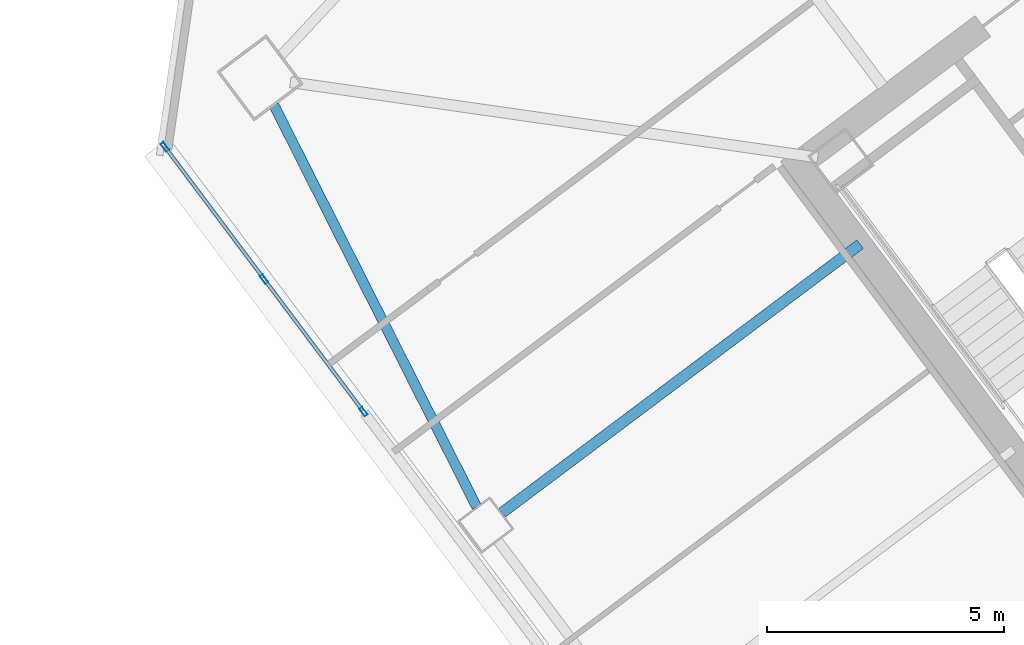
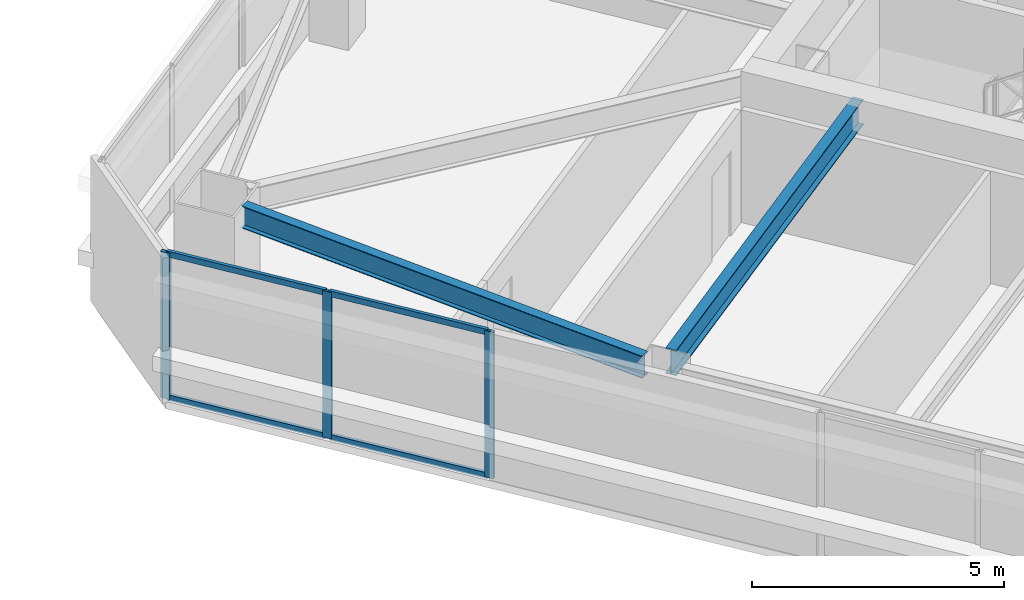
# One storey, part 20 of 44: 7 members, 2 beams, 1 element without a shape of its own.
"""IFC4 building model written with IfcOpenShell, lengths in metres."""

from ifc_helpers import new_model, si_unit, direction, frame, origin, origin_2d, place, context, subcontext, project, spatial, hollow_rectangle, i_section, extrude, material, material_profile, profile_set, type_object, element, aggregate, save


model = new_model("IFC4")

# Units and contexts
model_context = context("Model", 3, precision=1e-05, world=origin(), true_north=direction((0.0, 1.0)))
body_context = subcontext(model_context, "Body", "Model", "MODEL_VIEW")
ifc_project = project(units=[si_unit("LENGTHUNIT", "METRE"), si_unit("AREAUNIT", "SQUARE_METRE"), si_unit("VOLUMEUNIT", "CUBIC_METRE"), si_unit("PLANEANGLEUNIT", "RADIAN"), si_unit("MASSUNIT", "GRAM", prefix="KILO")], contexts=[model_context])

# Site, building, storey
site_placement = place(None, origin())
site = spatial("IfcSite", under=ifc_project, at=site_placement, CompositionType="ELEMENT")
building_placement = place(site_placement, origin())
building = spatial("IfcBuilding", under=site, at=building_placement, Name="Tashvorn Skyway Center", CompositionType="ELEMENT")
storey_placement = place(building_placement, frame((0.0, 0.0, 128.60009765625)))
storey = spatial("IfcBuildingStorey", under=building, at=storey_placement, Name="L34", CompositionType="ELEMENT", Elevation=128.60009765625)

# Beams
ifc_material_1 = material(Name="Steel ASTM A992 Grade 50", Category="steel")
ifc_material_profile_1 = material_profile(ifc_material_1, i_section(OverallWidth=0.22998046875, OverallDepth=0.616943359375, WebThickness=0.01318359375, FlangeThickness=0.022216796875, at=origin_2d()), Name="W24X94")
ifc_profile_set_1 = profile_set([ifc_material_profile_1], Name="Steel ASTM A992 Grade 50")
beam_type_1 = type_object("IfcBeamType", Name="BM-BEAM-W24X94", PredefinedType="BEAM", material=ifc_profile_set_1)
beam_1_placement = place(storey_placement, frame((96.97607421875, 25.98193359375, 3.0615234375), z_axis=(0.799984498661, 0.600020667896, 0.0), x_axis=(-0.600020667896, 0.799984498661, 0.0)))
element("IfcBeam", 1, at=beam_1_placement, inside=storey, type_object=beam_type_1, Name="Tower 2 L34 Primary Floor Girder FC-W1", PredefinedType="BEAM", context=body_context, shape_type="SweptSolid", body=[
    extrude(i_section(OverallWidth=0.22998046875, OverallDepth=0.616943359375, WebThickness=0.01318359375, FlangeThickness=0.022216796875, at=origin_2d()), origin(), (0.0, 0.0, 1.0), 9.449951171875),
])
ifc_material_profile_2 = material_profile(ifc_material_1, i_section(OverallWidth=0.2109375, OverallDepth=0.5390625, WebThickness=0.01171875, FlangeThickness=0.018798828125, at=origin_2d()), Name="W21X73")
ifc_profile_set_2 = profile_set([ifc_material_profile_2], Name="Steel ASTM A992 Grade 50")
beam_type_2 = type_object("IfcBeamType", Name="BM-SPANDREL-W21X73", PredefinedType="SPANDREL", material=ifc_profile_set_2)
beam_2_placement = place(storey_placement, frame((92.170654296875, 34.584228515625, 3.100341796875), z_axis=(0.450613543136, -0.892719124217, 0.0), x_axis=(0.892719124217, 0.450613543136, 0.0)))
element("IfcBeam", 2, at=beam_2_placement, inside=storey, type_object=beam_type_2, Name="Tower 2 L34 Spandrel Beam 10", PredefinedType="SPANDREL", context=body_context, shape_type="SweptSolid", body=[
    extrude(i_section(OverallWidth=0.2109375, OverallDepth=0.5390625, WebThickness=0.01171875, FlangeThickness=0.018798828125, at=origin_2d()), origin(), (0.0, 0.0, 1.0), 9.498291015625),
])

# Curtain wall, members
ifc_material_2 = material(Name="Thermally broken bronze-anodized aluminium 6063-T6", Category="aluminium")
curtain_wall_type = type_object("IfcCurtainWallType", Name="CW-CW-Z3", PredefinedType="NOTDEFINED", material=ifc_material_2)
curtain_wall_placement = place(storey_placement, origin())
curtain_wall = element("IfcCurtainWall", 3, at=curtain_wall_placement, inside=storey, type_object=curtain_wall_type, Name="Tower 2 L34 West Unitised Curtain Wall Glazing Group 3", PredefinedType="NOTDEFINED")
ifc_material_profile_3 = material_profile(ifc_material_2, hollow_rectangle(XDim=0.074951171875, YDim=0.199951171875, WallThickness=0.00439453125, at=origin_2d()), Name="ALU-MULL-75x200")
ifc_profile_set_3 = profile_set([ifc_material_profile_3], Name="Thermally broken bronze-anodized aluminium 6063-T6")
member_type_1 = type_object("IfcMemberType", Name="CWM-CW-Z3", PredefinedType="MULLION", material=ifc_profile_set_3)
member_1_placement = place(storey_placement, frame((94.060302734375, 28.119873046875, 0.0), z_axis=(0.0, 0.0, 1.0), x_axis=(-0.799996599484, -0.600004533995, 0.0)))
member_1 = element("IfcMember", 4, at=member_1_placement, type_object=member_type_1, Name="CW-Z3 mullion 1", PredefinedType="MULLION", context=body_context, shape_type="SweptSolid", body=[
    extrude(hollow_rectangle(XDim=0.074951171875, YDim=0.199951171875, WallThickness=0.00439453125, at=origin_2d()), origin(), (0.0, 0.0, 1.0), 3.5498046875),
])
member_2_placement = place(storey_placement, frame((91.96533203125, 30.912841796875, 0.0), z_axis=(0.0, 0.0, 1.0), x_axis=(-0.799996599484, -0.600004533995, 0.0)))
member_2 = element("IfcMember", 5, at=member_2_placement, type_object=member_type_1, Name="CW-Z3 mullion 2", PredefinedType="MULLION", context=body_context, shape_type="SweptSolid", body=[
    extrude(hollow_rectangle(XDim=0.074951171875, YDim=0.199951171875, WallThickness=0.00439453125, at=origin_2d()), origin(), (0.0, 0.0, 1.0), 3.5498046875),
])
member_3_placement = place(storey_placement, frame((89.87060546875, 33.7060546875, 0.0), z_axis=(0.0, 0.0, 1.0), x_axis=(-0.799996599484, -0.600004533995, 0.0)))
member_3 = element("IfcMember", 6, at=member_3_placement, type_object=member_type_1, Name="CW-Z3 mullion 3", PredefinedType="MULLION", context=body_context, shape_type="SweptSolid", body=[
    extrude(hollow_rectangle(XDim=0.074951171875, YDim=0.199951171875, WallThickness=0.00439453125, at=origin_2d()), origin(), (0.0, 0.0, 1.0), 3.5498046875),
])
ifc_material_profile_4 = material_profile(ifc_material_2, hollow_rectangle(XDim=0.074951171875, YDim=0.139892578125, WallThickness=0.004150390625, at=origin_2d()), Name="ALU-TRAN-75x140")
ifc_profile_set_4 = profile_set([ifc_material_profile_4], Name="Thermally broken bronze-anodized aluminium 6063-T6")
member_type_2 = type_object("IfcMemberType", Name="CWT-CW-Z3", PredefinedType="USERDEFINED", material=ifc_profile_set_4)
member_4_placement = place(storey_placement, frame((94.03759765625, 28.14990234375, 0.037353515625), z_axis=(-0.600022868659, 0.799982847995, 0.0), x_axis=(-0.799982847995, -0.600022868659, 0.0)))
member_4 = element("IfcMember", 7, at=member_4_placement, type_object=member_type_2, Name="CW-Z3 transom 1.1", ObjectType="TRANSOM", PredefinedType="USERDEFINED", context=body_context, shape_type="SweptSolid", body=[
    extrude(hollow_rectangle(XDim=0.074951171875, YDim=0.139892578125, WallThickness=0.004150390625, at=origin_2d()), origin(), (0.0, 0.0, 1.0), 3.416259765625),
])
member_5_placement = place(storey_placement, frame((94.03759765625, 28.14990234375, 3.512451171875), z_axis=(-0.600022868659, 0.799982847995, 0.0), x_axis=(-0.799982847995, -0.600022868659, 0.0)))
member_5 = element("IfcMember", 8, at=member_5_placement, type_object=member_type_2, Name="CW-Z3 transom 1.2", ObjectType="TRANSOM", PredefinedType="USERDEFINED", context=body_context, shape_type="SweptSolid", body=[
    extrude(hollow_rectangle(XDim=0.074951171875, YDim=0.139892578125, WallThickness=0.004150390625, at=origin_2d()), origin(), (0.0, 0.0, 1.0), 3.416259765625),
])
member_6_placement = place(storey_placement, frame((91.94287109375, 30.94287109375, 0.037353515625), z_axis=(-0.59998856614, 0.800008575267, 0.0), x_axis=(-0.800008575267, -0.59998856614, 0.0)))
member_6 = element("IfcMember", 9, at=member_6_placement, type_object=member_type_2, Name="CW-Z3 transom 2.1", ObjectType="TRANSOM", PredefinedType="USERDEFINED", context=body_context, shape_type="SweptSolid", body=[
    extrude(hollow_rectangle(XDim=0.074951171875, YDim=0.139892578125, WallThickness=0.004150390625, at=origin_2d()), origin(), (0.0, 0.0, 1.0), 3.41650390625),
])
member_7_placement = place(storey_placement, frame((91.94287109375, 30.94287109375, 3.512451171875), z_axis=(-0.59998856614, 0.800008575267, 0.0), x_axis=(-0.800008575267, -0.59998856614, 0.0)))
member_7 = element("IfcMember", 10, at=member_7_placement, type_object=member_type_2, Name="CW-Z3 transom 2.2", ObjectType="TRANSOM", PredefinedType="USERDEFINED", context=body_context, shape_type="SweptSolid", body=[
    extrude(hollow_rectangle(XDim=0.074951171875, YDim=0.139892578125, WallThickness=0.004150390625, at=origin_2d()), origin(), (0.0, 0.0, 1.0), 3.41650390625),
])
aggregate(curtain_wall, [member_1, member_2, member_3, member_4, member_5, member_6, member_7])

save(model, "model.ifc")
